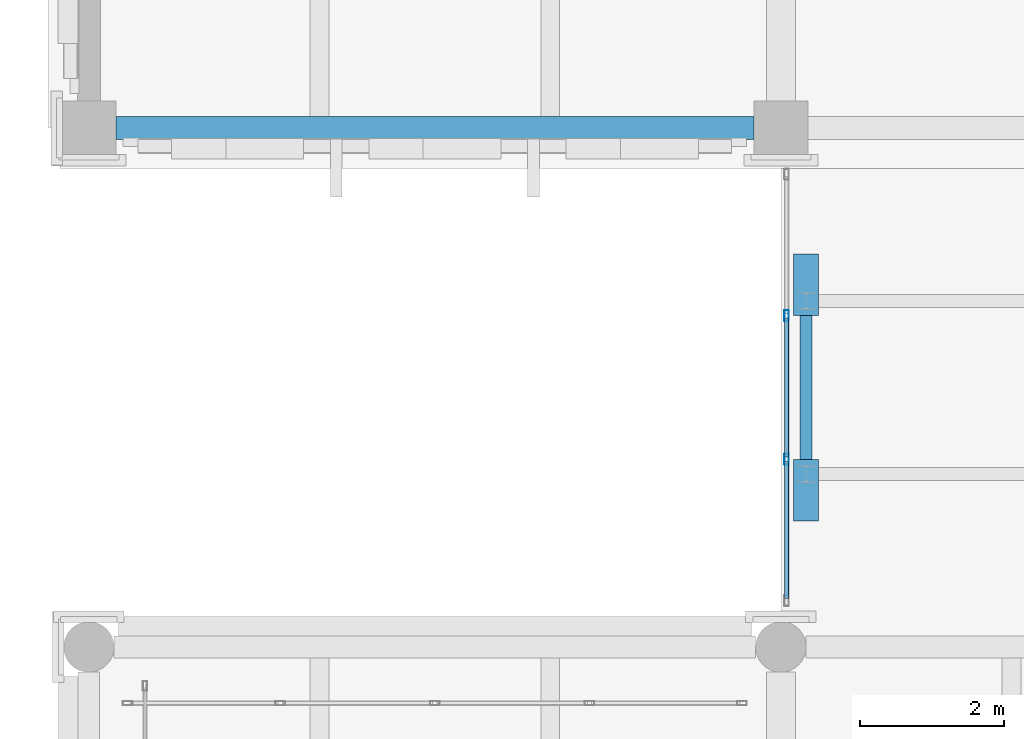
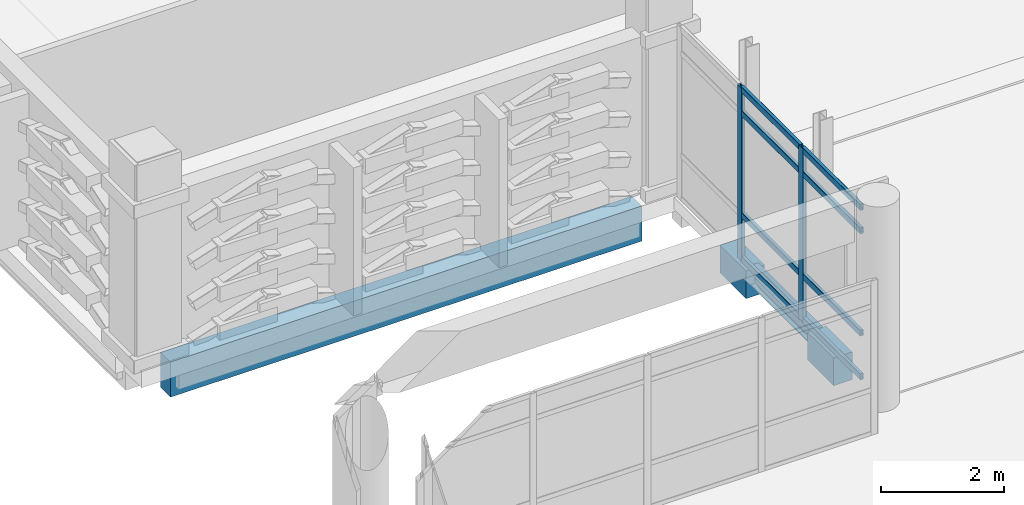
# One storey, part 77 of 180: 10 members, 4 beams, 1 element without a shape of its own.
"""IFC4 building model written with IfcOpenShell, lengths in metres."""

from ifc_helpers import new_model, si_unit, direction, frame, origin, origin_2d, place, context, subcontext, project, spatial, rectangle, hollow_rectangle, i_section, extrude, material, layer, layer_set, material_profile, profile_set, type_object, element, aggregate, save


model = new_model("IFC4")

# Units and contexts
model_context = context("Model", 3, precision=1e-05, world=origin(), true_north=direction((0.0, 1.0)))
body_context = subcontext(model_context, "Body", "Model", "MODEL_VIEW")
ifc_project = project(units=[si_unit("LENGTHUNIT", "METRE"), si_unit("AREAUNIT", "SQUARE_METRE"), si_unit("VOLUMEUNIT", "CUBIC_METRE"), si_unit("PLANEANGLEUNIT", "RADIAN"), si_unit("MASSUNIT", "GRAM", prefix="KILO")], contexts=[model_context])

# Site, building, storey
site_placement = place(None, origin())
site = spatial("IfcSite", under=ifc_project, at=site_placement, CompositionType="ELEMENT")
building_placement = place(site_placement, origin())
building = spatial("IfcBuilding", under=site, at=building_placement, Name="Asteropetra Specialist Clinic", CompositionType="ELEMENT")
storey_placement = place(building_placement, frame((0.0, 0.0, 4.419921875)))
storey = spatial("IfcBuildingStorey", under=building, at=storey_placement, Name="L01", CompositionType="ELEMENT", Elevation=4.419921875)

# Beams
ifc_material_1 = material(Name="Concrete C35/45", Category="concrete")
ifc_material_profile_1 = material_profile(ifc_material_1, rectangle(XDim=0.35009765625, YDim=0.550048828125, at=origin_2d()), Name="RCB 350x550")
ifc_profile_set_1 = profile_set([ifc_material_profile_1], Name="Concrete C35/45")
beam_type_1 = type_object("IfcBeamType", Name="BM-RC350x550", PredefinedType="BEAM", material=ifc_profile_set_1)
for number, where, z_axis, x_axis, name in (
    (1, (9.949951171875, 65.0, -0.559814453125), (0.0, -1.0, 0.0), (1.0, 0.0, 0.0), "Bridge Bearing Seat Corbel CRB-09"),
    (2, (9.949951171875, 67.0, -0.559814453125), (0.0, 1.0, 0.0), (-1.0, 0.0, 0.0), "Bridge Bearing Seat Corbel CRB-10"),
):
    element("IfcBeam", number, at=place(storey_placement, frame(where, z_axis=z_axis, x_axis=x_axis)), inside=storey, type_object=beam_type_1, Name=name, PredefinedType="BEAM", context=body_context, shape_type="SweptSolid", body=[
        extrude(rectangle(XDim=0.35009765625, YDim=0.550048828125, at=origin_2d()), origin(), (0.0, 0.0, 1.0), 0.85009765625),
    ])
ifc_material_2 = material(Name="Steel S355", Category="steel")
ifc_material_profile_2 = material_profile(ifc_material_2, i_section(OverallWidth=0.169921875, OverallDepth=0.360107421875, WebThickness=0.008056640625, FlangeThickness=0.0126953125, FilletRadius=0.01806640625, at=origin_2d()), Name="IPE 360")
ifc_profile_set_2 = profile_set([ifc_material_profile_2], Name="Steel S355")
beam_type_2 = type_object("IfcBeamType", Name="BM-STL-IPE360", PredefinedType="BEAM", material=ifc_profile_set_2)
beam_1_placement = place(storey_placement, frame((9.949951171875, 64.949951171875, -0.419921875), z_axis=(0.0, 1.0, 0.0), x_axis=(-1.0, 0.0, 0.0)))
element("IfcBeam", 3, at=beam_1_placement, inside=storey, type_object=beam_type_2, Name="Beam BBMS4-0815", PredefinedType="BEAM", context=body_context, shape_type="SweptSolid", body=[
    extrude(i_section(OverallWidth=0.169921875, OverallDepth=0.360107421875, WebThickness=0.008056640625, FlangeThickness=0.0126953125, FilletRadius=0.01806640625, at=origin_2d()), origin(), (0.0, 0.0, 1.0), 2.10009765625),
])

# Curtain wall, members
ifc_material_3 = material(Name="Aluminium and low-E glass", Category="aluminium")
ifc_layer = layer(ifc_material_3, 0.14990234375)
ifc_layer_set = layer_set([ifc_layer], Name="Aluminium and low-E glass")
curtain_wall_type = type_object("IfcCurtainWallType", Name="CW-SYS-08", PredefinedType="USERDEFINED", material=ifc_layer_set)
curtain_wall_placement = place(storey_placement, origin())
curtain_wall = element("IfcCurtainWall", 4, at=curtain_wall_placement, inside=storey, type_object=curtain_wall_type, Name="Curtain Wall CW-103", ObjectType="STICK GLAZED COLONNADE", PredefinedType="USERDEFINED")
ifc_material_4 = material(Name="Aluminium 6063-T6", Category="aluminium")
ifc_material_profile_3 = material_profile(ifc_material_4, hollow_rectangle(XDim=0.06494140625, YDim=0.14990234375, WallThickness=0.00390625, InnerFilletRadius=0.00390625, OuterFilletRadius=0.008056640625, at=origin_2d()), Name="MUL 150x65x4.0")
ifc_profile_set_3 = profile_set([ifc_material_profile_3], Name="Aluminium 6063-T6")
member_type_1 = type_object("IfcMemberType", Name="CWM-150x65", PredefinedType="MULLION", material=ifc_profile_set_3)
member_1_placement = place(storey_placement, frame((9.679931640625, 65.00341796875, 0.0), z_axis=(0.0, 0.0, 1.0), x_axis=(-1.0, 0.0, 0.0)))
member_1 = element("IfcMember", 5, at=member_1_placement, type_object=member_type_1, Name="CW-103 mullion 2", PredefinedType="MULLION", context=body_context, shape_type="SweptSolid", body=[
    extrude(hollow_rectangle(XDim=0.06494140625, YDim=0.14990234375, WallThickness=0.00390625, InnerFilletRadius=0.00390625, OuterFilletRadius=0.008056640625, at=origin_2d()), origin(), (0.0, 0.0, 1.0), 3.43017578125),
])
member_2_placement = place(storey_placement, frame((9.679931640625, 66.99658203125, 0.0), z_axis=(0.0, 0.0, 1.0), x_axis=(-1.0, 0.0, 0.0)))
member_2 = element("IfcMember", 6, at=member_2_placement, type_object=member_type_1, Name="CW-103 mullion 3", PredefinedType="MULLION", context=body_context, shape_type="SweptSolid", body=[
    extrude(hollow_rectangle(XDim=0.06494140625, YDim=0.14990234375, WallThickness=0.00390625, InnerFilletRadius=0.00390625, OuterFilletRadius=0.008056640625, at=origin_2d()), origin(), (0.0, 0.0, 1.0), 3.43017578125),
])
ifc_material_5 = material(Name="Aluminium 6063-T6", Category="aluminium")
ifc_material_profile_4 = material_profile(ifc_material_5, hollow_rectangle(XDim=0.06494140625, YDim=0.1201171875, WallThickness=0.00390625, InnerFilletRadius=0.00390625, OuterFilletRadius=0.008056640625, at=origin_2d()), Name="TRN 120x65x4.0")
ifc_profile_set_4 = profile_set([ifc_material_profile_4], Name="Aluminium 6063-T6")
member_type_2 = type_object("IfcMemberType", Name="CWT-120x65", PredefinedType="USERDEFINED", material=ifc_profile_set_4)
member_3_placement = place(storey_placement, frame((9.679931640625, 63.074951171875, 0.032470703125), z_axis=(0.0, 1.0, 0.0), x_axis=(-1.0, 0.0, 0.0)))
member_3 = element("IfcMember", 7, at=member_3_placement, type_object=member_type_2, Name="CW-103 transom 1.1", ObjectType="TRANSOM", PredefinedType="USERDEFINED", context=body_context, shape_type="SweptSolid", body=[
    extrude(hollow_rectangle(XDim=0.06494140625, YDim=0.1201171875, WallThickness=0.00390625, InnerFilletRadius=0.00390625, OuterFilletRadius=0.008056640625, at=origin_2d()), origin(), (0.0, 0.0, 1.0), 1.89599609375),
])
member_4_placement = place(storey_placement, frame((9.679931640625, 63.074951171875, 0.900146484375), z_axis=(0.0, 1.0, 0.0), x_axis=(-1.0, 0.0, 0.0)))
member_4 = element("IfcMember", 8, at=member_4_placement, type_object=member_type_2, Name="CW-103 transom 1.2", ObjectType="TRANSOM", PredefinedType="USERDEFINED", context=body_context, shape_type="SweptSolid", body=[
    extrude(hollow_rectangle(XDim=0.06494140625, YDim=0.1201171875, WallThickness=0.00390625, InnerFilletRadius=0.00390625, OuterFilletRadius=0.008056640625, at=origin_2d()), origin(), (0.0, 0.0, 1.0), 1.89599609375),
])
member_5_placement = place(storey_placement, frame((9.679931640625, 63.074951171875, 2.93017578125), z_axis=(0.0, 1.0, 0.0), x_axis=(-1.0, 0.0, 0.0)))
member_5 = element("IfcMember", 9, at=member_5_placement, type_object=member_type_2, Name="CW-103 transom 1.3", ObjectType="TRANSOM", PredefinedType="USERDEFINED", context=body_context, shape_type="SweptSolid", body=[
    extrude(hollow_rectangle(XDim=0.06494140625, YDim=0.1201171875, WallThickness=0.00390625, InnerFilletRadius=0.00390625, OuterFilletRadius=0.008056640625, at=origin_2d()), origin(), (0.0, 0.0, 1.0), 1.89599609375),
])
member_6_placement = place(storey_placement, frame((9.679931640625, 63.074951171875, 3.3974609375), z_axis=(0.0, 1.0, 0.0), x_axis=(-1.0, 0.0, 0.0)))
member_6 = element("IfcMember", 10, at=member_6_placement, type_object=member_type_2, Name="CW-103 transom 1.4", ObjectType="TRANSOM", PredefinedType="USERDEFINED", context=body_context, shape_type="SweptSolid", body=[
    extrude(hollow_rectangle(XDim=0.06494140625, YDim=0.1201171875, WallThickness=0.00390625, InnerFilletRadius=0.00390625, OuterFilletRadius=0.008056640625, at=origin_2d()), origin(), (0.0, 0.0, 1.0), 1.89599609375),
])
member_7_placement = place(storey_placement, frame((9.679931640625, 65.035888671875, 0.032470703125), z_axis=(0.0, 1.0, 0.0), x_axis=(-1.0, 0.0, 0.0)))
member_7 = element("IfcMember", 11, at=member_7_placement, type_object=member_type_2, Name="CW-103 transom 2.1", ObjectType="TRANSOM", PredefinedType="USERDEFINED", context=body_context, shape_type="SweptSolid", body=[
    extrude(hollow_rectangle(XDim=0.06494140625, YDim=0.1201171875, WallThickness=0.00390625, InnerFilletRadius=0.00390625, OuterFilletRadius=0.008056640625, at=origin_2d()), origin(), (0.0, 0.0, 1.0), 1.92822265625),
])
member_8_placement = place(storey_placement, frame((9.679931640625, 65.035888671875, 0.900146484375), z_axis=(0.0, 1.0, 0.0), x_axis=(-1.0, 0.0, 0.0)))
member_8 = element("IfcMember", 12, at=member_8_placement, type_object=member_type_2, Name="CW-103 transom 2.2", ObjectType="TRANSOM", PredefinedType="USERDEFINED", context=body_context, shape_type="SweptSolid", body=[
    extrude(hollow_rectangle(XDim=0.06494140625, YDim=0.1201171875, WallThickness=0.00390625, InnerFilletRadius=0.00390625, OuterFilletRadius=0.008056640625, at=origin_2d()), origin(), (0.0, 0.0, 1.0), 1.92822265625),
])
member_9_placement = place(storey_placement, frame((9.679931640625, 65.035888671875, 2.93017578125), z_axis=(0.0, 1.0, 0.0), x_axis=(-1.0, 0.0, 0.0)))
member_9 = element("IfcMember", 13, at=member_9_placement, type_object=member_type_2, Name="CW-103 transom 2.3", ObjectType="TRANSOM", PredefinedType="USERDEFINED", context=body_context, shape_type="SweptSolid", body=[
    extrude(hollow_rectangle(XDim=0.06494140625, YDim=0.1201171875, WallThickness=0.00390625, InnerFilletRadius=0.00390625, OuterFilletRadius=0.008056640625, at=origin_2d()), origin(), (0.0, 0.0, 1.0), 1.92822265625),
])
member_10_placement = place(storey_placement, frame((9.679931640625, 65.035888671875, 3.3974609375), z_axis=(0.0, 1.0, 0.0), x_axis=(-1.0, 0.0, 0.0)))
member_10 = element("IfcMember", 14, at=member_10_placement, type_object=member_type_2, Name="CW-103 transom 2.4", ObjectType="TRANSOM", PredefinedType="USERDEFINED", context=body_context, shape_type="SweptSolid", body=[
    extrude(hollow_rectangle(XDim=0.06494140625, YDim=0.1201171875, WallThickness=0.00390625, InnerFilletRadius=0.00390625, OuterFilletRadius=0.008056640625, at=origin_2d()), origin(), (0.0, 0.0, 1.0), 1.92822265625),
])
aggregate(curtain_wall, [member_1, member_2, member_3, member_4, member_5, member_6, member_7, member_8, member_9, member_10])

# Beam
ifc_material_6 = material(Name="Concrete C35/45", Category="concrete")
ifc_material_profile_5 = material_profile(ifc_material_6, rectangle(XDim=0.320068359375, YDim=0.699951171875, at=origin_2d()), Name="RCS 320x700")
ifc_profile_set_5 = profile_set([ifc_material_profile_5], Name="Concrete C35/45")
beam_type_3 = type_object("IfcBeamType", Name="SPN-RC320x700", PredefinedType="SPANDREL", material=ifc_profile_set_5)
beam_2_placement = place(storey_placement, frame((0.375, 69.60009765625, -0.6298828125), z_axis=(1.0, 0.0, 0.0), x_axis=(0.0, 1.0, 0.0)))
element("IfcBeam", 15, at=beam_2_placement, inside=storey, type_object=beam_type_3, Name="Beam BSPN02-0626", PredefinedType="SPANDREL", context=body_context, shape_type="SweptSolid", body=[
    extrude(rectangle(XDim=0.320068359375, YDim=0.699951171875, at=origin_2d()), origin(), (0.0, 0.0, 1.0), 8.85009765625),
])

save(model, "model.ifc")
